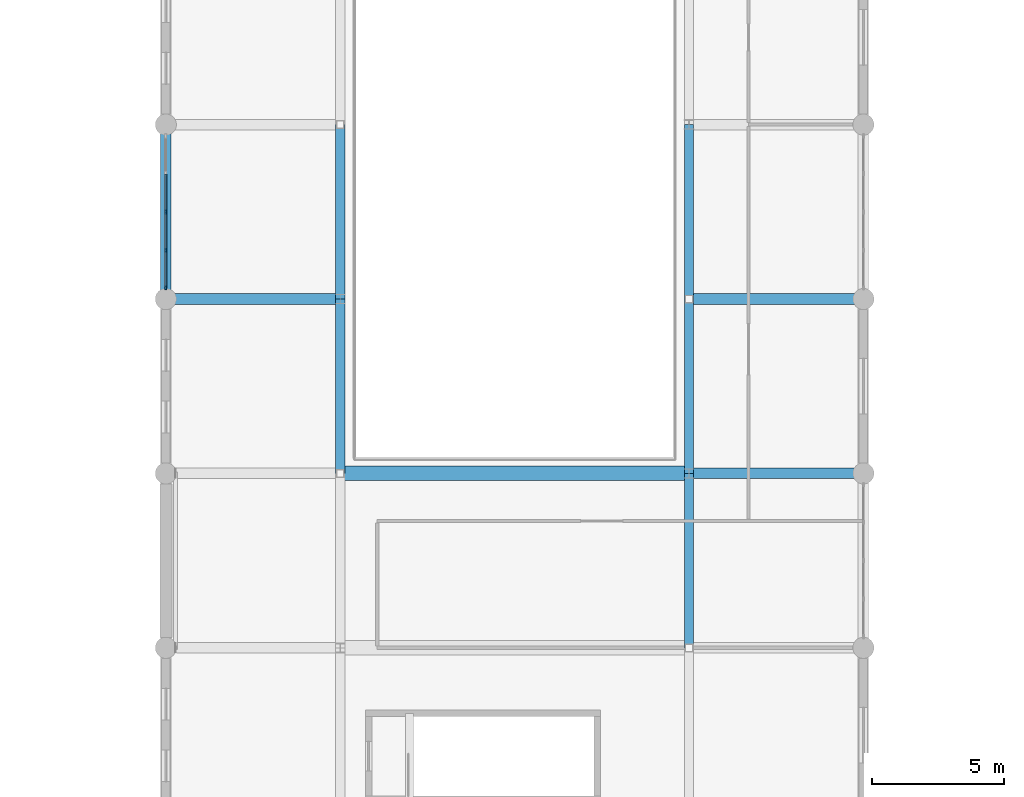
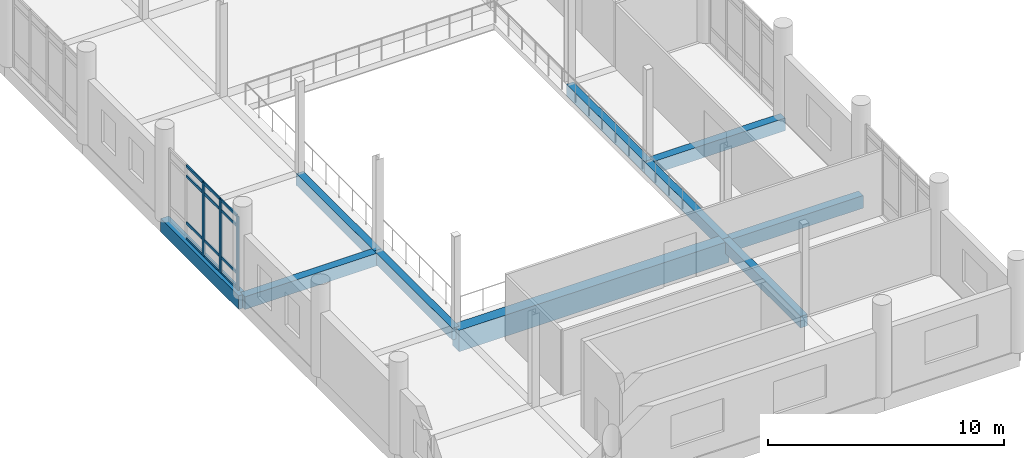
# One storey, part 8 of 76: 15 members, 10 beams, 1 element without a shape of its own.
"""IFC4 building model written with IfcOpenShell, lengths in metres."""

import ifcopenshell
import ifcopenshell.guid

model = None  # the IFC model being written
_history = None  # IfcOwnerHistory: only IFC2X3 demands one
_inside = {}  # id of a spatial element -> (the spatial element, [elements in it])
_under = {}  # id of a project, library or spatial element -> (it, [spatial elements below it])
_declared = {}  # id of a project -> (the project, [libraries it declares])
_typed = {}  # id of a type object -> (the type object, [elements of that type])
_made_of = {}  # id of a material, layer set ... -> (it, [elements and type objects made of it])


def new_model(schema):
    """Start an empty IFC model of exactly this schema.

    Asked for "IFC4X3", IfcOpenShell would pick the latest addendum, in which some entities
    have other attributes; the version numbers below select the first issue.
    IFC2X3 requires an IfcOwnerHistory on every rooted entity: one is made here for all.
    """
    global model, _history
    if schema == "IFC4X3":
        model = ifcopenshell.file(schema_version=(4, 3, 0, 0))
    else:
        model = ifcopenshell.file(schema=schema)
    _inside.clear()
    _under.clear()
    _declared.clear()
    _typed.clear()
    _made_of.clear()
    _history = None
    if model.schema == "IFC2X3":
        org = make("IfcOrganization", Name="unknown")
        user = make(
            "IfcPersonAndOrganization",
            ThePerson=make("IfcPerson", FamilyName="unknown"),
            TheOrganization=org,
        )
        app = make(
            "IfcApplication",
            ApplicationDeveloper=org,
            Version="unknown",
            ApplicationFullName="unknown",
            ApplicationIdentifier="unknown",
        )
        _history = make(
            "IfcOwnerHistory",
            OwningUser=user,
            OwningApplication=app,
            ChangeAction="ADDED",
            CreationDate=0,
        )
    return model


def make(cls, **values):
    """One entity of the class cls with the attributes given. An attribute that is None is left unset."""
    return model.create_entity(
        cls, **{name: value for name, value in values.items() if value is not None}
    )


def rooted(cls, **values):
    """An entity with a GlobalId (a new one), such as an element, a storey or a relation."""
    return make(cls, GlobalId=ifcopenshell.guid.new(), OwnerHistory=_history, **values)


def si_unit(unit_type, name, prefix=None):
    """IfcSIUnit, for example si_unit("LENGTHUNIT", "METRE", prefix="MILLI")."""
    return make("IfcSIUnit", UnitType=unit_type, Prefix=prefix, Name=name)


def assignment(units):
    """IfcUnitAssignment: the units of a project."""
    return None if units is None else make("IfcUnitAssignment", Units=units)


def point(xyz):
    """IfcCartesianPoint."""
    return None if xyz is None else make("IfcCartesianPoint", Coordinates=xyz)


def direction(xyz):
    """IfcDirection."""
    return None if xyz is None else make("IfcDirection", DirectionRatios=xyz)


def frame(location, z_axis=None, x_axis=None):
    """IfcAxis2Placement3D, a coordinate frame: its origin and axes. An axis left out is left unset."""
    return make(
        "IfcAxis2Placement3D",
        Location=point(location),
        Axis=direction(z_axis),
        RefDirection=direction(x_axis),
    )


def frame_2d(location, x_axis=None):
    """IfcAxis2Placement2D, a coordinate frame in the plane: its origin and x axis."""
    return make(
        "IfcAxis2Placement2D", Location=point(location), RefDirection=direction(x_axis)
    )


def origin():
    """The frame at (0, 0, 0) with its axes left unset."""
    return frame((0.0, 0.0, 0.0))


def origin_2d():
    """The frame at (0, 0) in the plane with its x axis left unset."""
    return frame_2d((0.0, 0.0))


def place(relative_to, where):
    """IfcLocalPlacement: puts the frame where relative to a parent placement (None: the world)."""
    return make(
        "IfcLocalPlacement", PlacementRelTo=relative_to, RelativePlacement=where
    )


def context(
    kind, dimensions, precision=None, world=None, true_north=None, identifier=None
):
    """IfcGeometricRepresentationContext, for example the 3D "Model" context."""
    return make(
        "IfcGeometricRepresentationContext",
        ContextIdentifier=identifier,
        ContextType=kind,
        CoordinateSpaceDimension=dimensions,
        Precision=precision,
        WorldCoordinateSystem=world,
        TrueNorth=true_north,
    )


def subcontext(parent, identifier, kind, view, scale=None):
    """IfcGeometricRepresentationSubContext, for example "Body" below "Model"."""
    return make(
        "IfcGeometricRepresentationSubContext",
        ContextIdentifier=identifier,
        ContextType=kind,
        ParentContext=parent,
        TargetScale=scale,
        TargetView=view,
    )


def project(units=None, contexts=None):
    """IfcProject with its units and contexts."""
    return rooted(
        "IfcProject",
        Name="project",
        RepresentationContexts=contexts,
        UnitsInContext=assignment(units),
    )


def spatial(cls, under=None, at=None, **own):
    """A site, building, storey or space (cls), placed at a placement, below another one or the project."""
    s = rooted(cls, ObjectPlacement=at, **own)
    if under is not None:
        _under.setdefault(under.id(), (under, []))[1].append(s)
    return s


def profile(cls, at=None, kind="AREA", **sizes):
    """A parametric profile (cls). Its sizes go by their IFC names, for example OverallWidth=200.0."""
    return make(cls, ProfileType=kind, Position=at, **sizes)


def rectangle(**sizes):
    """IfcRectangleProfileDef."""
    return profile("IfcRectangleProfileDef", **sizes)


def extrude(swept, where, along, depth):
    """IfcExtrudedAreaSolid: the profile swept, set in the frame where, extruded along a direction by depth."""
    return make(
        "IfcExtrudedAreaSolid",
        SweptArea=swept,
        Position=where,
        ExtrudedDirection=direction(along),
        Depth=depth,
    )


def shape(context_of_items, identifier, shape_type, items):
    """IfcShapeRepresentation: the items that make up one representation, for example the "Body"."""
    return make(
        "IfcShapeRepresentation",
        ContextOfItems=context_of_items,
        RepresentationIdentifier=identifier,
        RepresentationType=shape_type,
        Items=items,
    )


def material(Name=None, Category=None):
    """IfcMaterial."""
    return make("IfcMaterial", Name=Name, Category=Category)


def material_profile(
    of_material, cross_section, Name=None, Category=None, Priority=None
):
    """IfcMaterialProfile: a cross section and its material."""
    return make(
        "IfcMaterialProfile",
        Name=Name,
        Material=of_material,
        Profile=cross_section,
        Priority=Priority,
        Category=Category,
    )


def profile_set(profiles, Name=None, composite=None):
    """IfcMaterialProfileSet."""
    return make(
        "IfcMaterialProfileSet",
        Name=Name,
        MaterialProfiles=profiles,
        CompositeProfile=composite,
    )


def made_of(thing, what):
    """Note that an element or type object is made of a material, layer set ...; save() writes the relation."""
    if what is not None:
        _made_of.setdefault(what.id(), (what, []))[1].append(thing)
    return thing


def type_object(cls, material=None, **own):
    """A type object (cls), such as IfcWallType, which elements share."""
    return made_of(rooted(cls, **own), material)


def element(
    cls,
    number,
    at=None,
    inside=None,
    cuts=None,
    type_object=None,
    material=None,
    context=None,
    identifier="Body",
    shape_type=None,
    held_by="IfcProductDefinitionShape",
    body=None,
    shapes=None,
    **own,
):
    """One element of the class cls, such as IfcWall. Its Tag is "e" and its number.

    at: its placement. inside: the storey or other place that contains it. cuts: it is an
    opening in that element (IfcRelVoidsElement). A single representation is given by context,
    identifier, shape_type and body (its items); several are given by shapes. held_by: the class
    of the entity that holds the representations. save() writes the other relations.
    """
    e = rooted(cls, Tag="e%d" % number, ObjectPlacement=at, **own)
    if body is not None:
        shapes = [shape(context, identifier, shape_type, body)]
    if shapes is not None:
        e.Representation = make(held_by, Representations=shapes)
    if inside is not None:
        _inside.setdefault(inside.id(), (inside, []))[1].append(e)
    if cuts is not None:
        rooted(
            "IfcRelVoidsElement", RelatingBuildingElement=cuts, RelatedOpeningElement=e
        )
    if type_object is not None:
        _typed.setdefault(type_object.id(), (type_object, []))[1].append(e)
    return made_of(e, material)


def aggregate(whole, parts):
    """IfcRelAggregates: a whole, such as a stair, and the parts it consists of."""
    return rooted("IfcRelAggregates", RelatingObject=whole, RelatedObjects=parts)


def save(model, path):
    """Write the relations noted so far, then the file.

    IfcRelAggregates (storeys below a building ...), IfcRelContainedInSpatialStructure (elements
    in a storey), IfcRelDefinesByType, IfcRelAssociatesMaterial and IfcRelDeclares: one each for
    every whole, place, type object, material and project.
    """
    for whole, parts in _under.values():
        aggregate(whole, parts)
    for where, things in _inside.values():
        rooted(
            "IfcRelContainedInSpatialStructure",
            RelatedElements=things,
            RelatingStructure=where,
        )
    for kind, things in _typed.values():
        rooted("IfcRelDefinesByType", RelatedObjects=things, RelatingType=kind)
    for what, things in _made_of.values():
        rooted("IfcRelAssociatesMaterial", RelatedObjects=things, RelatingMaterial=what)
    for by, libraries in _declared.values():
        rooted("IfcRelDeclares", RelatingContext=by, RelatedDefinitions=libraries)
    model.write(path)


model = new_model("IFC4")

# Units and contexts
model_context = context("Model", 3, precision=1e-05, world=origin(), true_north=direction((0.0, 1.0)))
body_context = subcontext(model_context, "Body", "Model", "MODEL_VIEW")
ifc_project = project(units=[si_unit("LENGTHUNIT", "METRE"), si_unit("AREAUNIT", "SQUARE_METRE"), si_unit("VOLUMEUNIT", "CUBIC_METRE"), si_unit("PLANEANGLEUNIT", "RADIAN"), si_unit("MASSUNIT", "GRAM", prefix="KILO")], contexts=[model_context])

# Site, building, storey
site_placement = place(None, origin())
site = spatial("IfcSite", under=ifc_project, at=site_placement, CompositionType="ELEMENT")
building_placement = place(site_placement, origin())
building = spatial("IfcBuilding", under=site, at=building_placement, Name="Dornvale Research Institute", CompositionType="ELEMENT")
storey_placement = place(building_placement, frame((0.0, 0.0, 15.0)))
storey = spatial("IfcBuildingStorey", under=building, at=storey_placement, Name="L03", CompositionType="ELEMENT", Elevation=15.0)

# Beams
ifc_material_1 = material(Name="Concrete f'c 45 MPa (C35/45)", Category="concrete")
ifc_material_profile_1 = material_profile(ifc_material_1, rectangle(XDim=0.35009765625, YDim=0.60009765625, at=origin_2d()), Name="RC 350x600")
ifc_profile_set_1 = profile_set([ifc_material_profile_1], Name="Concrete f'c 45 MPa (C35/45)")
beam_type_1 = type_object("IfcBeamType", Name="Beam_RC350x600_Floor", PredefinedType="BEAM", material=ifc_profile_set_1)
beam_1_placement = place(storey_placement, frame((46.199951171875, 52.800048828125, -0.300048828125), z_axis=(0.0, 1.0, 0.0), x_axis=(-1.0, 0.0, 0.0)))
element("IfcBeam", 1, at=beam_1_placement, inside=storey, type_object=beam_type_1, Name="L03 transverse girder #1095", PredefinedType="BEAM", context=body_context, shape_type="SweptSolid", body=[
    extrude(rectangle(XDim=0.35009765625, YDim=0.60009765625, at=origin_2d()), origin(), (0.0, 0.0, 1.0), 6.599853515625),
])
for number, where, z_axis, x_axis, name in (
    (2, (46.199951171875, 59.39990234375, -0.300048828125), (0.0, 1.0, 0.0), (-1.0, 0.0, 0.0), "L03 transverse girder #1096"),
    (3, (59.39990234375, 46.199951171875, -0.300048828125), (0.0, 1.0, 0.0), (-1.0, 0.0, 0.0), "L03 transverse girder #1101"),
):
    element("IfcBeam", number, at=place(storey_placement, frame(where, z_axis=z_axis, x_axis=x_axis)), inside=storey, type_object=beam_type_1, Name=name, PredefinedType="BEAM", context=body_context, shape_type="SweptSolid", body=[
        extrude(rectangle(XDim=0.35009765625, YDim=0.60009765625, at=origin_2d()), origin(), (0.0, 0.0, 1.0), 6.60009765625),
    ])
beam_2_placement = place(storey_placement, frame((59.39990234375, 52.800048828125, -0.300048828125), z_axis=(0.0, 1.0, 0.0), x_axis=(-1.0, 0.0, 0.0)))
element("IfcBeam", 4, at=beam_2_placement, inside=storey, type_object=beam_type_1, Name="L03 transverse girder #1102", PredefinedType="BEAM", context=body_context, shape_type="SweptSolid", body=[
    extrude(rectangle(XDim=0.35009765625, YDim=0.60009765625, at=origin_2d()), origin(), (0.0, 0.0, 1.0), 6.599853515625),
])
beam_3_placement = place(storey_placement, frame((59.39990234375, 59.39990234375, -0.300048828125), z_axis=(0.0, 1.0, 0.0), x_axis=(-1.0, 0.0, 0.0)))
element("IfcBeam", 5, at=beam_3_placement, inside=storey, type_object=beam_type_1, Name="L03 transverse girder #1103", PredefinedType="BEAM", context=body_context, shape_type="SweptSolid", body=[
    extrude(rectangle(XDim=0.35009765625, YDim=0.60009765625, at=origin_2d()), origin(), (0.0, 0.0, 1.0), 6.60009765625),
])
ifc_material_2 = material(Name="Concrete f'c 45 MPa (C35/45)", Category="concrete")
ifc_material_profile_2 = material_profile(ifc_material_2, rectangle(XDim=0.39990234375, YDim=0.64990234375, at=origin_2d()), Name="RC 400x650")
ifc_profile_set_2 = profile_set([ifc_material_profile_2], Name="Concrete f'c 45 MPa (C35/45)")
beam_type_2 = type_object("IfcBeamType", Name="Beam_RC400x650_Floor", PredefinedType="BEAM", material=ifc_profile_set_2)
beam_4_placement = place(storey_placement, frame((59.39990234375, 52.800048828125, -0.324951171875), z_axis=(1.0, 0.0, 0.0), x_axis=(0.0, 1.0, 0.0)))
element("IfcBeam", 6, at=beam_4_placement, inside=storey, type_object=beam_type_2, Name="L03 primary girder #1072", PredefinedType="BEAM", context=body_context, shape_type="SweptSolid", body=[
    extrude(rectangle(XDim=0.39990234375, YDim=0.64990234375, at=origin_2d()), origin(), (0.0, 0.0, 1.0), 6.60009765625),
])
beam_5_placement = place(storey_placement, frame((39.60009765625, 59.39990234375, -0.324951171875), z_axis=(1.0, 0.0, 0.0), x_axis=(0.0, 1.0, 0.0)))
element("IfcBeam", 7, at=beam_5_placement, inside=storey, type_object=beam_type_2, Name="L03 primary girder #1073", PredefinedType="BEAM", context=body_context, shape_type="SweptSolid", body=[
    extrude(rectangle(XDim=0.39990234375, YDim=0.64990234375, at=origin_2d()), origin(), (0.0, 0.0, 1.0), 6.599853515625),
])
beam_6_placement = place(storey_placement, frame((59.39990234375, 59.39990234375, -0.324951171875), z_axis=(1.0, 0.0, 0.0), x_axis=(0.0, 1.0, 0.0)))
element("IfcBeam", 8, at=beam_6_placement, inside=storey, type_object=beam_type_2, Name="L03 primary girder #1074", PredefinedType="BEAM", context=body_context, shape_type="SweptSolid", body=[
    extrude(rectangle(XDim=0.39990234375, YDim=0.64990234375, at=origin_2d()), origin(), (0.0, 0.0, 1.0), 6.60009765625),
])
ifc_material_3 = material(Name="Concrete f'c 45 MPa (C35/45)", Category="concrete")
ifc_material_profile_3 = material_profile(ifc_material_3, rectangle(XDim=0.550048828125, YDim=1.10009765625, at=origin_2d()), Name="RC 550x1100")
ifc_profile_set_3 = profile_set([ifc_material_profile_3], Name="Concrete f'c 45 MPa (C35/45)")
beam_type_3 = type_object("IfcBeamType", Name="Beam_RC550x1100_Girder", PredefinedType="BEAM", material=ifc_profile_set_3)
beam_7_placement = place(storey_placement, frame((46.199951171875, 52.800048828125, -0.550048828125), z_axis=(1.0, 0.0, 0.0), x_axis=(0.0, 1.0, 0.0)))
element("IfcBeam", 9, at=beam_7_placement, inside=storey, type_object=beam_type_3, Name="L03 primary girder #1071", PredefinedType="BEAM", context=body_context, shape_type="SweptSolid", body=[
    extrude(rectangle(XDim=0.550048828125, YDim=1.10009765625, at=origin_2d()), origin(), (0.0, 0.0, 1.0), 13.199951171875),
])

# Curtain wall, members
ifc_material_4 = material(Name="Low-E Argon Double Insulating Glazing Unit", Category="glass")
curtain_wall_type = type_object("IfcCurtainWallType", Name="UnitisedCurtainWall_V2_5810x3820", PredefinedType="USERDEFINED", material=ifc_material_4)
curtain_wall_placement = place(storey_placement, origin())
curtain_wall = element("IfcCurtainWall", 10, at=curtain_wall_placement, inside=storey, type_object=curtain_wall_type, Name="L03 V2 unitised curtain wall CW-03 #15", ObjectType="UNITISED CURTAIN WALL", PredefinedType="USERDEFINED")
ifc_material_5 = material(Name="Anodized Aluminum AA 6063-T6 Thermally Broken Frame", Category="aluminium")
ifc_material_profile_4 = material_profile(ifc_material_5, rectangle(XDim=0.06494140625, YDim=0.1650390625, at=origin_2d()), Name="ALU MULLION 65x165")
ifc_profile_set_4 = profile_set([ifc_material_profile_4], Name="Anodized Aluminum AA 6063-T6 Thermally Broken Frame")
member_type_1 = type_object("IfcMemberType", Name="Mullion_Atrium_65x165", PredefinedType="MULLION", material=ifc_profile_set_4)
member_1_placement = place(storey_placement, frame((39.60009765625, 59.827392578125, 0.0), z_axis=(0.0, 0.0, 1.0), x_axis=(-1.0, 0.0, 0.0)))
member_1 = element("IfcMember", 11, at=member_1_placement, type_object=member_type_1, Name="CW-03 mullion 1", PredefinedType="MULLION", context=body_context, shape_type="SweptSolid", body=[
    extrude(rectangle(XDim=0.06494140625, YDim=0.1650390625, at=origin_2d()), origin(), (0.0, 0.0, 1.0), 3.820068359375),
])
member_2_placement = place(storey_placement, frame((39.60009765625, 61.24755859375, 0.0), z_axis=(0.0, 0.0, 1.0), x_axis=(-1.0, 0.0, 0.0)))
member_2 = element("IfcMember", 12, at=member_2_placement, type_object=member_type_1, Name="CW-03 mullion 2", PredefinedType="MULLION", context=body_context, shape_type="SweptSolid", body=[
    extrude(rectangle(XDim=0.06494140625, YDim=0.1650390625, at=origin_2d()), origin(), (0.0, 0.0, 1.0), 3.820068359375),
])
member_3_placement = place(storey_placement, frame((39.60009765625, 62.699951171875, 0.0), z_axis=(0.0, 0.0, 1.0), x_axis=(-1.0, 0.0, 0.0)))
member_3 = element("IfcMember", 13, at=member_3_placement, type_object=member_type_1, Name="CW-03 mullion 3", PredefinedType="MULLION", context=body_context, shape_type="SweptSolid", body=[
    extrude(rectangle(XDim=0.06494140625, YDim=0.1650390625, at=origin_2d()), origin(), (0.0, 0.0, 1.0), 3.820068359375),
])

# Beam
ifc_material_6 = material(Name="Concrete f'c 45 MPa (C35/45)", Category="concrete")
ifc_material_profile_5 = material_profile(ifc_material_6, rectangle(XDim=0.39990234375, YDim=0.699951171875, at=origin_2d()), Name="RC 400x700")
ifc_profile_set_5 = profile_set([ifc_material_profile_5], Name="Concrete f'c 45 MPa (C35/45)")
beam_type_4 = type_object("IfcBeamType", Name="Spandrel_RC400x700_Ext", PredefinedType="SPANDREL", material=ifc_profile_set_5)
beam_8_placement = place(storey_placement, frame((39.60009765625, 59.39990234375, -0.35009765625), z_axis=(0.0, 1.0, 0.0), x_axis=(-1.0, 0.0, 0.0)))
element("IfcBeam", 14, at=beam_8_placement, inside=storey, type_object=beam_type_4, Name="L03 perimeter spandrel #1089", PredefinedType="SPANDREL", context=body_context, shape_type="SweptSolid", body=[
    extrude(rectangle(XDim=0.39990234375, YDim=0.699951171875, at=origin_2d()), origin(), (0.0, 0.0, 1.0), 6.60009765625),
])

# Member
ifc_material_7 = material(Name="Anodized Aluminum AA 6063-T6 Thermally Broken Frame", Category="aluminium")
ifc_material_profile_6 = material_profile(ifc_material_7, rectangle(XDim=0.06494140625, YDim=0.135009765625, at=origin_2d()), Name="ALU TRANSOM 65x135")
ifc_profile_set_6 = profile_set([ifc_material_profile_6], Name="Anodized Aluminum AA 6063-T6 Thermally Broken Frame")
member_type_2 = type_object("IfcMemberType", Name="Transom_CW_65x135", PredefinedType="USERDEFINED", material=ifc_profile_set_6)
member_4_placement = place(storey_placement, frame((39.60009765625, 59.860107421875, 0.032470703125), z_axis=(0.0, 1.0, 0.0), x_axis=(-1.0, 0.0, 0.0)))
member_4 = element("IfcMember", 15, at=member_4_placement, type_object=member_type_2, Name="CW-03 transom 1.1", ObjectType="TRANSOM", PredefinedType="USERDEFINED", context=body_context, shape_type="SweptSolid", body=[
    extrude(rectangle(XDim=0.06494140625, YDim=0.135009765625, at=origin_2d()), origin(), (0.0, 0.0, 1.0), 1.35498046875),
])

member_5_placement = place(storey_placement, frame((39.60009765625, 59.860107421875, 0.85009765625), z_axis=(0.0, 1.0, 0.0), x_axis=(-1.0, 0.0, 0.0)))
member_5 = element("IfcMember", 16, at=member_5_placement, type_object=member_type_2, Name="CW-03 transom 1.2", ObjectType="TRANSOM", PredefinedType="USERDEFINED", context=body_context, shape_type="SweptSolid", body=[
    extrude(rectangle(XDim=0.06494140625, YDim=0.135009765625, at=origin_2d()), origin(), (0.0, 0.0, 1.0), 1.35498046875),
])

member_6_placement = place(storey_placement, frame((39.60009765625, 59.860107421875, 3.27001953125), z_axis=(0.0, 1.0, 0.0), x_axis=(-1.0, 0.0, 0.0)))
member_6 = element("IfcMember", 17, at=member_6_placement, type_object=member_type_2, Name="CW-03 transom 1.3", ObjectType="TRANSOM", PredefinedType="USERDEFINED", context=body_context, shape_type="SweptSolid", body=[
    extrude(rectangle(XDim=0.06494140625, YDim=0.135009765625, at=origin_2d()), origin(), (0.0, 0.0, 1.0), 1.35498046875),
])

member_7_placement = place(storey_placement, frame((39.60009765625, 59.860107421875, 3.78759765625), z_axis=(0.0, 1.0, 0.0), x_axis=(-1.0, 0.0, 0.0)))
member_7 = element("IfcMember", 18, at=member_7_placement, type_object=member_type_2, Name="CW-03 transom 1.4", ObjectType="TRANSOM", PredefinedType="USERDEFINED", context=body_context, shape_type="SweptSolid", body=[
    extrude(rectangle(XDim=0.06494140625, YDim=0.135009765625, at=origin_2d()), origin(), (0.0, 0.0, 1.0), 1.35498046875),
])

member_8_placement = place(storey_placement, frame((39.60009765625, 61.280029296875, 0.032470703125), z_axis=(0.0, 1.0, 0.0), x_axis=(-1.0, 0.0, 0.0)))
member_8 = element("IfcMember", 19, at=member_8_placement, type_object=member_type_2, Name="CW-03 transom 2.1", ObjectType="TRANSOM", PredefinedType="USERDEFINED", context=body_context, shape_type="SweptSolid", body=[
    extrude(rectangle(XDim=0.06494140625, YDim=0.135009765625, at=origin_2d()), origin(), (0.0, 0.0, 1.0), 1.387451171875),
])

member_9_placement = place(storey_placement, frame((39.60009765625, 61.280029296875, 0.85009765625), z_axis=(0.0, 1.0, 0.0), x_axis=(-1.0, 0.0, 0.0)))
member_9 = element("IfcMember", 20, at=member_9_placement, type_object=member_type_2, Name="CW-03 transom 2.2", ObjectType="TRANSOM", PredefinedType="USERDEFINED", context=body_context, shape_type="SweptSolid", body=[
    extrude(rectangle(XDim=0.06494140625, YDim=0.135009765625, at=origin_2d()), origin(), (0.0, 0.0, 1.0), 1.387451171875),
])

member_10_placement = place(storey_placement, frame((39.60009765625, 61.280029296875, 3.27001953125), z_axis=(0.0, 1.0, 0.0), x_axis=(-1.0, 0.0, 0.0)))
member_10 = element("IfcMember", 21, at=member_10_placement, type_object=member_type_2, Name="CW-03 transom 2.3", ObjectType="TRANSOM", PredefinedType="USERDEFINED", context=body_context, shape_type="SweptSolid", body=[
    extrude(rectangle(XDim=0.06494140625, YDim=0.135009765625, at=origin_2d()), origin(), (0.0, 0.0, 1.0), 1.387451171875),
])

member_11_placement = place(storey_placement, frame((39.60009765625, 61.280029296875, 3.78759765625), z_axis=(0.0, 1.0, 0.0), x_axis=(-1.0, 0.0, 0.0)))
member_11 = element("IfcMember", 22, at=member_11_placement, type_object=member_type_2, Name="CW-03 transom 2.4", ObjectType="TRANSOM", PredefinedType="USERDEFINED", context=body_context, shape_type="SweptSolid", body=[
    extrude(rectangle(XDim=0.06494140625, YDim=0.135009765625, at=origin_2d()), origin(), (0.0, 0.0, 1.0), 1.387451171875),
])

member_12_placement = place(storey_placement, frame((39.60009765625, 62.732421875, 0.032470703125), z_axis=(0.0, 1.0, 0.0), x_axis=(-1.0, 0.0, 0.0)))
member_12 = element("IfcMember", 23, at=member_12_placement, type_object=member_type_2, Name="CW-03 transom 3.1", ObjectType="TRANSOM", PredefinedType="USERDEFINED", context=body_context, shape_type="SweptSolid", body=[
    extrude(rectangle(XDim=0.06494140625, YDim=0.135009765625, at=origin_2d()), origin(), (0.0, 0.0, 1.0), 1.3876953125),
])

member_13_placement = place(storey_placement, frame((39.60009765625, 62.732421875, 0.85009765625), z_axis=(0.0, 1.0, 0.0), x_axis=(-1.0, 0.0, 0.0)))
member_13 = element("IfcMember", 24, at=member_13_placement, type_object=member_type_2, Name="CW-03 transom 3.2", ObjectType="TRANSOM", PredefinedType="USERDEFINED", context=body_context, shape_type="SweptSolid", body=[
    extrude(rectangle(XDim=0.06494140625, YDim=0.135009765625, at=origin_2d()), origin(), (0.0, 0.0, 1.0), 1.3876953125),
])

member_14_placement = place(storey_placement, frame((39.60009765625, 62.732421875, 3.27001953125), z_axis=(0.0, 1.0, 0.0), x_axis=(-1.0, 0.0, 0.0)))
member_14 = element("IfcMember", 25, at=member_14_placement, type_object=member_type_2, Name="CW-03 transom 3.3", ObjectType="TRANSOM", PredefinedType="USERDEFINED", context=body_context, shape_type="SweptSolid", body=[
    extrude(rectangle(XDim=0.06494140625, YDim=0.135009765625, at=origin_2d()), origin(), (0.0, 0.0, 1.0), 1.3876953125),
])

member_15_placement = place(storey_placement, frame((39.60009765625, 62.732421875, 3.78759765625), z_axis=(0.0, 1.0, 0.0), x_axis=(-1.0, 0.0, 0.0)))
member_15 = element("IfcMember", 26, at=member_15_placement, type_object=member_type_2, Name="CW-03 transom 3.4", ObjectType="TRANSOM", PredefinedType="USERDEFINED", context=body_context, shape_type="SweptSolid", body=[
    extrude(rectangle(XDim=0.06494140625, YDim=0.135009765625, at=origin_2d()), origin(), (0.0, 0.0, 1.0), 1.3876953125),
])

aggregate(curtain_wall, [member_1, member_2, member_3, member_4, member_5, member_6, member_7, member_8, member_9, member_10, member_11, member_12, member_13, member_14, member_15])

save(model, "model.ifc")
